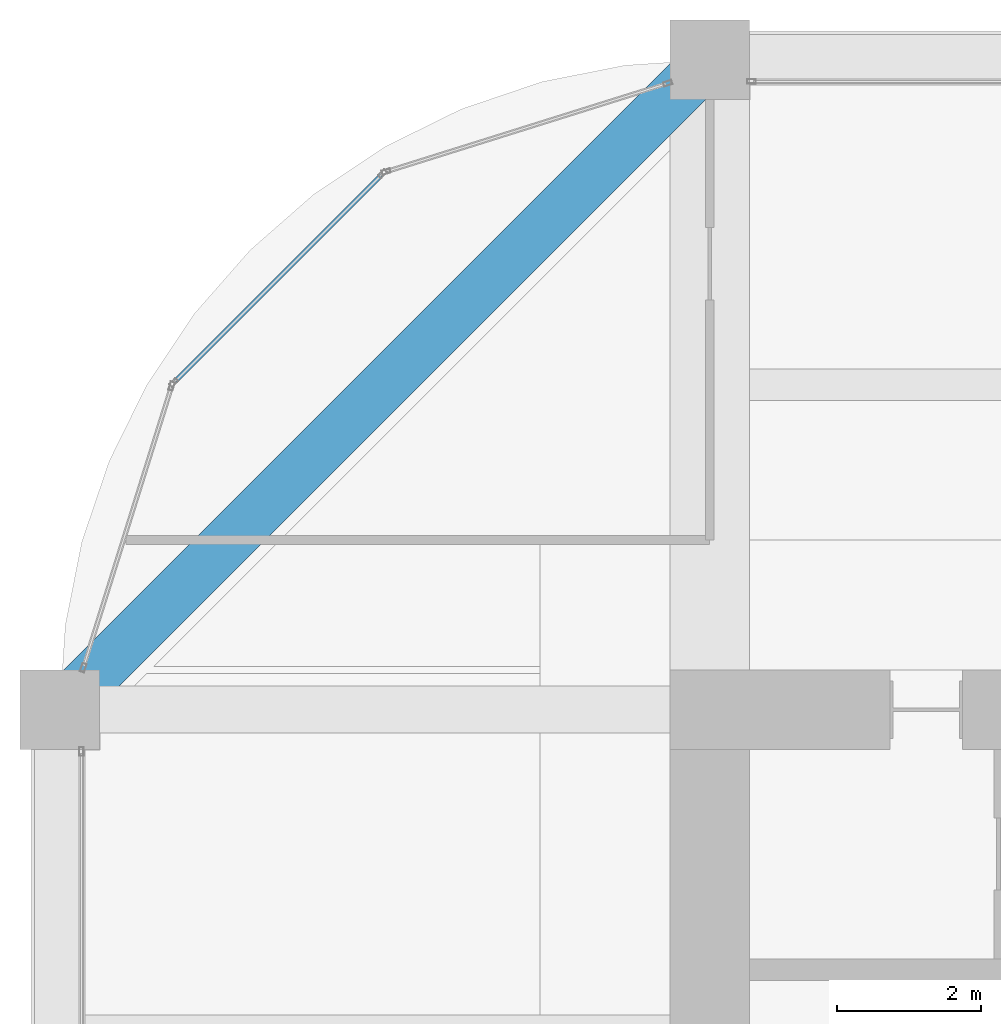
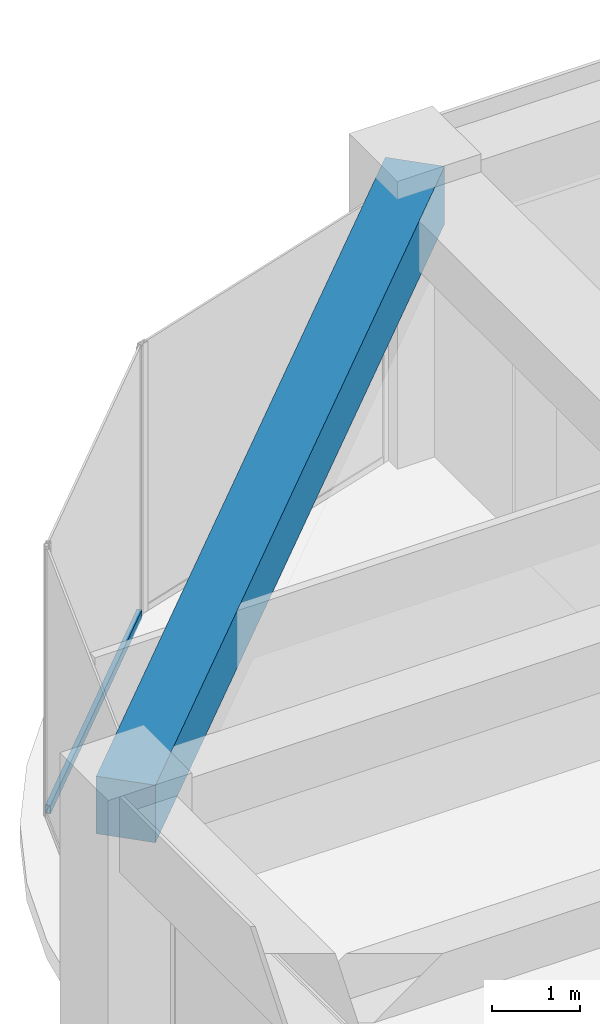
# One storey, part 29 of 44: 1 beam, 1 member, 1 element without a shape of its own.
"""IFC4 building model written with IfcOpenShell, lengths in metres."""

import ifcopenshell
import ifcopenshell.guid

model = None  # the IFC model being written
_history = None  # IfcOwnerHistory: only IFC2X3 demands one
_inside = {}  # id of a spatial element -> (the spatial element, [elements in it])
_under = {}  # id of a project, library or spatial element -> (it, [spatial elements below it])
_declared = {}  # id of a project -> (the project, [libraries it declares])
_typed = {}  # id of a type object -> (the type object, [elements of that type])
_made_of = {}  # id of a material, layer set ... -> (it, [elements and type objects made of it])


def new_model(schema):
    """Start an empty IFC model of exactly this schema.

    Asked for "IFC4X3", IfcOpenShell would pick the latest addendum, in which some entities
    have other attributes; the version numbers below select the first issue.
    IFC2X3 requires an IfcOwnerHistory on every rooted entity: one is made here for all.
    """
    global model, _history
    if schema == "IFC4X3":
        model = ifcopenshell.file(schema_version=(4, 3, 0, 0))
    else:
        model = ifcopenshell.file(schema=schema)
    _inside.clear()
    _under.clear()
    _declared.clear()
    _typed.clear()
    _made_of.clear()
    _history = None
    if model.schema == "IFC2X3":
        org = make("IfcOrganization", Name="unknown")
        user = make(
            "IfcPersonAndOrganization",
            ThePerson=make("IfcPerson", FamilyName="unknown"),
            TheOrganization=org,
        )
        app = make(
            "IfcApplication",
            ApplicationDeveloper=org,
            Version="unknown",
            ApplicationFullName="unknown",
            ApplicationIdentifier="unknown",
        )
        _history = make(
            "IfcOwnerHistory",
            OwningUser=user,
            OwningApplication=app,
            ChangeAction="ADDED",
            CreationDate=0,
        )
    return model


def make(cls, **values):
    """One entity of the class cls with the attributes given. An attribute that is None is left unset."""
    return model.create_entity(
        cls, **{name: value for name, value in values.items() if value is not None}
    )


def rooted(cls, **values):
    """An entity with a GlobalId (a new one), such as an element, a storey or a relation."""
    return make(cls, GlobalId=ifcopenshell.guid.new(), OwnerHistory=_history, **values)


def si_unit(unit_type, name, prefix=None):
    """IfcSIUnit, for example si_unit("LENGTHUNIT", "METRE", prefix="MILLI")."""
    return make("IfcSIUnit", UnitType=unit_type, Prefix=prefix, Name=name)


def assignment(units):
    """IfcUnitAssignment: the units of a project."""
    return None if units is None else make("IfcUnitAssignment", Units=units)


def point(xyz):
    """IfcCartesianPoint."""
    return None if xyz is None else make("IfcCartesianPoint", Coordinates=xyz)


def direction(xyz):
    """IfcDirection."""
    return None if xyz is None else make("IfcDirection", DirectionRatios=xyz)


def frame(location, z_axis=None, x_axis=None):
    """IfcAxis2Placement3D, a coordinate frame: its origin and axes. An axis left out is left unset."""
    return make(
        "IfcAxis2Placement3D",
        Location=point(location),
        Axis=direction(z_axis),
        RefDirection=direction(x_axis),
    )


def frame_2d(location, x_axis=None):
    """IfcAxis2Placement2D, a coordinate frame in the plane: its origin and x axis."""
    return make(
        "IfcAxis2Placement2D", Location=point(location), RefDirection=direction(x_axis)
    )


def origin():
    """The frame at (0, 0, 0) with its axes left unset."""
    return frame((0.0, 0.0, 0.0))


def origin_2d():
    """The frame at (0, 0) in the plane with its x axis left unset."""
    return frame_2d((0.0, 0.0))


def place(relative_to, where):
    """IfcLocalPlacement: puts the frame where relative to a parent placement (None: the world)."""
    return make(
        "IfcLocalPlacement", PlacementRelTo=relative_to, RelativePlacement=where
    )


def context(
    kind, dimensions, precision=None, world=None, true_north=None, identifier=None
):
    """IfcGeometricRepresentationContext, for example the 3D "Model" context."""
    return make(
        "IfcGeometricRepresentationContext",
        ContextIdentifier=identifier,
        ContextType=kind,
        CoordinateSpaceDimension=dimensions,
        Precision=precision,
        WorldCoordinateSystem=world,
        TrueNorth=true_north,
    )


def subcontext(parent, identifier, kind, view, scale=None):
    """IfcGeometricRepresentationSubContext, for example "Body" below "Model"."""
    return make(
        "IfcGeometricRepresentationSubContext",
        ContextIdentifier=identifier,
        ContextType=kind,
        ParentContext=parent,
        TargetScale=scale,
        TargetView=view,
    )


def project(units=None, contexts=None):
    """IfcProject with its units and contexts."""
    return rooted(
        "IfcProject",
        Name="project",
        RepresentationContexts=contexts,
        UnitsInContext=assignment(units),
    )


def spatial(cls, under=None, at=None, **own):
    """A site, building, storey or space (cls), placed at a placement, below another one or the project."""
    s = rooted(cls, ObjectPlacement=at, **own)
    if under is not None:
        _under.setdefault(under.id(), (under, []))[1].append(s)
    return s


def profile(cls, at=None, kind="AREA", **sizes):
    """A parametric profile (cls). Its sizes go by their IFC names, for example OverallWidth=200.0."""
    return make(cls, ProfileType=kind, Position=at, **sizes)


def rectangle(**sizes):
    """IfcRectangleProfileDef."""
    return profile("IfcRectangleProfileDef", **sizes)


def hollow_rectangle(**sizes):
    """IfcRectangleHollowProfileDef."""
    return profile("IfcRectangleHollowProfileDef", **sizes)


def extrude(swept, where, along, depth):
    """IfcExtrudedAreaSolid: the profile swept, set in the frame where, extruded along a direction by depth."""
    return make(
        "IfcExtrudedAreaSolid",
        SweptArea=swept,
        Position=where,
        ExtrudedDirection=direction(along),
        Depth=depth,
    )


def shape(context_of_items, identifier, shape_type, items):
    """IfcShapeRepresentation: the items that make up one representation, for example the "Body"."""
    return make(
        "IfcShapeRepresentation",
        ContextOfItems=context_of_items,
        RepresentationIdentifier=identifier,
        RepresentationType=shape_type,
        Items=items,
    )


def material(Name=None, Category=None):
    """IfcMaterial."""
    return make("IfcMaterial", Name=Name, Category=Category)


def material_profile(
    of_material, cross_section, Name=None, Category=None, Priority=None
):
    """IfcMaterialProfile: a cross section and its material."""
    return make(
        "IfcMaterialProfile",
        Name=Name,
        Material=of_material,
        Profile=cross_section,
        Priority=Priority,
        Category=Category,
    )


def profile_set(profiles, Name=None, composite=None):
    """IfcMaterialProfileSet."""
    return make(
        "IfcMaterialProfileSet",
        Name=Name,
        MaterialProfiles=profiles,
        CompositeProfile=composite,
    )


def made_of(thing, what):
    """Note that an element or type object is made of a material, layer set ...; save() writes the relation."""
    if what is not None:
        _made_of.setdefault(what.id(), (what, []))[1].append(thing)
    return thing


def type_object(cls, material=None, **own):
    """A type object (cls), such as IfcWallType, which elements share."""
    return made_of(rooted(cls, **own), material)


def element(
    cls,
    number,
    at=None,
    inside=None,
    cuts=None,
    type_object=None,
    material=None,
    context=None,
    identifier="Body",
    shape_type=None,
    held_by="IfcProductDefinitionShape",
    body=None,
    shapes=None,
    **own,
):
    """One element of the class cls, such as IfcWall. Its Tag is "e" and its number.

    at: its placement. inside: the storey or other place that contains it. cuts: it is an
    opening in that element (IfcRelVoidsElement). A single representation is given by context,
    identifier, shape_type and body (its items); several are given by shapes. held_by: the class
    of the entity that holds the representations. save() writes the other relations.
    """
    e = rooted(cls, Tag="e%d" % number, ObjectPlacement=at, **own)
    if body is not None:
        shapes = [shape(context, identifier, shape_type, body)]
    if shapes is not None:
        e.Representation = make(held_by, Representations=shapes)
    if inside is not None:
        _inside.setdefault(inside.id(), (inside, []))[1].append(e)
    if cuts is not None:
        rooted(
            "IfcRelVoidsElement", RelatingBuildingElement=cuts, RelatedOpeningElement=e
        )
    if type_object is not None:
        _typed.setdefault(type_object.id(), (type_object, []))[1].append(e)
    return made_of(e, material)


def aggregate(whole, parts):
    """IfcRelAggregates: a whole, such as a stair, and the parts it consists of."""
    return rooted("IfcRelAggregates", RelatingObject=whole, RelatedObjects=parts)


def save(model, path):
    """Write the relations noted so far, then the file.

    IfcRelAggregates (storeys below a building ...), IfcRelContainedInSpatialStructure (elements
    in a storey), IfcRelDefinesByType, IfcRelAssociatesMaterial and IfcRelDeclares: one each for
    every whole, place, type object, material and project.
    """
    for whole, parts in _under.values():
        aggregate(whole, parts)
    for where, things in _inside.values():
        rooted(
            "IfcRelContainedInSpatialStructure",
            RelatedElements=things,
            RelatingStructure=where,
        )
    for kind, things in _typed.values():
        rooted("IfcRelDefinesByType", RelatedObjects=things, RelatingType=kind)
    for what, things in _made_of.values():
        rooted("IfcRelAssociatesMaterial", RelatedObjects=things, RelatingMaterial=what)
    for by, libraries in _declared.values():
        rooted("IfcRelDeclares", RelatingContext=by, RelatedDefinitions=libraries)
    model.write(path)


model = new_model("IFC4")

# Units and contexts
model_context = context("Model", 3, precision=1e-05, world=origin(), true_north=direction((0.0, 1.0)))
body_context = subcontext(model_context, "Body", "Model", "MODEL_VIEW")
ifc_project = project(units=[si_unit("LENGTHUNIT", "METRE"), si_unit("AREAUNIT", "SQUARE_METRE"), si_unit("VOLUMEUNIT", "CUBIC_METRE"), si_unit("PLANEANGLEUNIT", "RADIAN"), si_unit("MASSUNIT", "GRAM", prefix="KILO")], contexts=[model_context])

# Site, building, storey
site_placement = place(None, origin())
site = spatial("IfcSite", under=ifc_project, at=site_placement, CompositionType="ELEMENT")
building_placement = place(site_placement, origin())
building = spatial("IfcBuilding", under=site, at=building_placement, Name="Zorevar Civic Tower", CompositionType="ELEMENT")
storey_placement = place(building_placement, frame((0.0, 0.0, 263.39990234375)))
storey = spatial("IfcBuildingStorey", under=building, at=storey_placement, Name="L64", CompositionType="ELEMENT", Elevation=263.39990234375)

# Curtain wall, member
ifc_material_1 = material(Name="Dark grey solar-control glass in black aluminium frame", Category="aluminium")
curtain_wall_type = type_object("IfcCurtainWallType", Name="Curtain wall CW5 top zone", PredefinedType="NOTDEFINED", material=ifc_material_1)
curtain_wall_placement = place(storey_placement, origin())
curtain_wall = element("IfcCurtainWall", 1, at=curtain_wall_placement, inside=storey, type_object=curtain_wall_type, Name="CW5 L64", PredefinedType="NOTDEFINED")
ifc_material_2 = material(Name="Aluminium, black anodised", Category="aluminium")
ifc_material_profile_1 = material_profile(ifc_material_2, hollow_rectangle(XDim=0.06005859375, YDim=0.1201171875, WallThickness=0.0029296875, at=origin_2d()), Name="AL 120x60x3")
ifc_profile_set_1 = profile_set([ifc_material_profile_1], Name="Aluminium, black anodised")
member_type = type_object("IfcMemberType", Name="CW5 transom AL 120x60x3", PredefinedType="USERDEFINED", material=ifc_profile_set_1)
member_placement = place(storey_placement, frame((13.44970703125, 43.3984375, 0.030029296875), z_axis=(-0.707106781187, -0.707106781187, 0.0), x_axis=(0.707106781187, -0.707106781187, 0.0)))
member = element("IfcMember", 2, at=member_placement, type_object=member_type, Name="CW5 sill transom", ObjectType="TRANSOM", PredefinedType="USERDEFINED", context=body_context, shape_type="SweptSolid", body=[
    extrude(hollow_rectangle(XDim=0.06005859375, YDim=0.1201171875, WallThickness=0.0029296875, at=origin_2d()), origin(), (0.0, 0.0, 1.0), 4.02783203125),
])
aggregate(curtain_wall, [member])

# Beam
ifc_material_3 = material(Name="Concrete C50/60", Category="concrete")
ifc_material_profile_2 = material_profile(ifc_material_3, rectangle(XDim=0.699951171875, YDim=0.800048828125, at=origin_2d()), Name="RC 700x800")
ifc_profile_set_2 = profile_set([ifc_material_profile_2], Name="Concrete C50/60")
beam_type = type_object("IfcBeamType", Name="Edge beam RC 700x800", PredefinedType="SPANDREL", material=ifc_profile_set_2)
beam_placement = place(storey_placement, frame((18.0, 45.0, 3.35009765625), z_axis=(-0.707106781187, -0.707106781187, 0.0), x_axis=(0.707106781187, -0.707106781187, 0.0)))
element("IfcBeam", 3, at=beam_placement, inside=storey, type_object=beam_type, Name="Corner edge beam L65", PredefinedType="SPANDREL", context=body_context, shape_type="SweptSolid", body=[
    extrude(rectangle(XDim=0.699951171875, YDim=0.800048828125, at=origin_2d()), origin(), (0.0, 0.0, 1.0), 12.72802734375),
])

save(model, "model.ifc")
